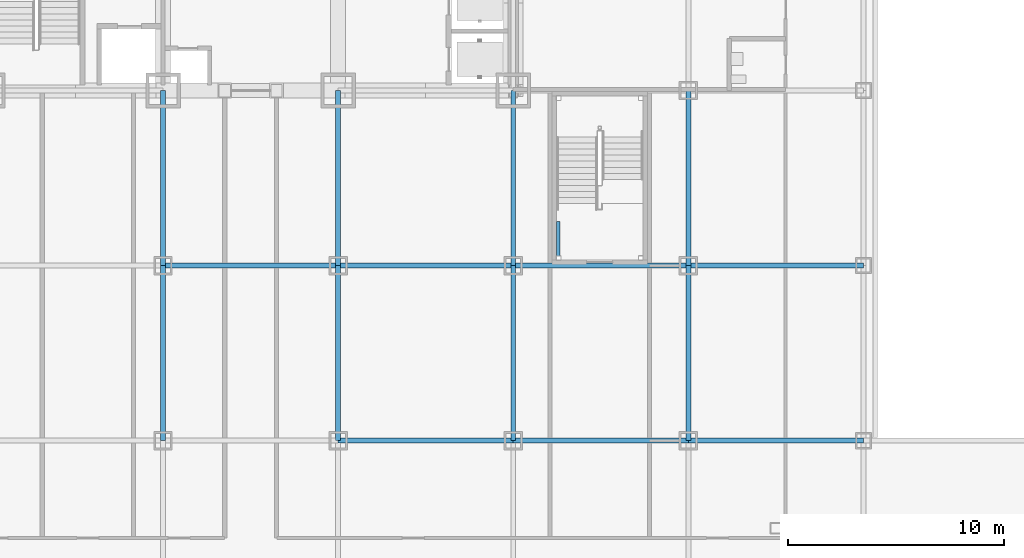
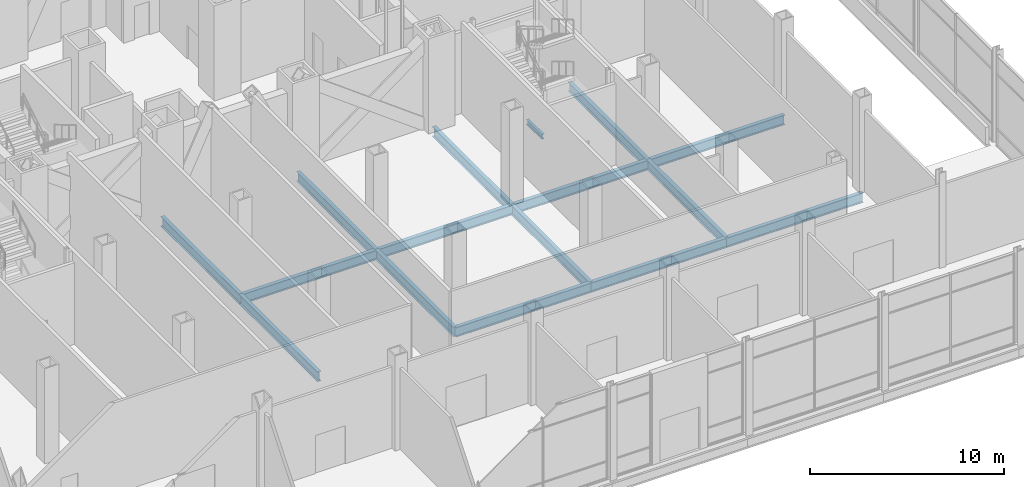
# One storey, part 13 of 35: 16 beams.
"""IFC4 building model written with IfcOpenShell, lengths in metres."""

from ifc_helpers import new_model, si_unit, direction, frame, origin, origin_2d, place, context, subcontext, project, spatial, i_section, extrude, material, material_profile, profile_set, type_object, element, save


model = new_model("IFC4")

# Units and contexts
model_context = context("Model", 3, precision=1e-05, world=origin(), true_north=direction((0.0, 1.0)))
body_context = subcontext(model_context, "Body", "Model", "MODEL_VIEW")
ifc_project = project(units=[si_unit("LENGTHUNIT", "METRE"), si_unit("AREAUNIT", "SQUARE_METRE"), si_unit("VOLUMEUNIT", "CUBIC_METRE"), si_unit("PLANEANGLEUNIT", "RADIAN"), si_unit("MASSUNIT", "GRAM", prefix="KILO")], contexts=[model_context])

# Site, building, storey
site_placement = place(None, origin())
site = spatial("IfcSite", under=ifc_project, at=site_placement, CompositionType="ELEMENT")
building_placement = place(site_placement, origin())
building = spatial("IfcBuilding", under=site, at=building_placement, Name="Kopane Lantern Tower", CompositionType="ELEMENT")
storey_placement = place(building_placement, origin())
storey = spatial("IfcBuildingStorey", under=building, at=storey_placement, Name="L00", CompositionType="ELEMENT", Elevation=0.0)

# Beams
ifc_material_1 = material(Name="Steel S355JR", Category="steel")
ifc_material_profile_1 = material_profile(ifc_material_1, i_section(OverallWidth=0.22900390625, OverallDepth=0.6123046875, WebThickness=0.011962890625, FlangeThickness=0.01953125, FilletRadius=0.0126953125, at=origin_2d()), Name="UB 610x229x125")
ifc_profile_set_1 = profile_set([ifc_material_profile_1], Name="Steel S355JR")
beam_type_1 = type_object("IfcBeamType", Name="GIRDER UB 610x229x125", PredefinedType="BEAM", material=ifc_profile_set_1)
beam_1_placement = place(storey_placement, frame((24.300048828125, 8.10009765625, -0.55615234375), z_axis=(0.0, 1.0, 0.0), x_axis=(-1.0, 0.0, 0.0)))
element("IfcBeam", 1, at=beam_1_placement, inside=storey, type_object=beam_type_1, Name="Girder L00", PredefinedType="BEAM", context=body_context, shape_type="SweptSolid", body=[
    extrude(i_section(OverallWidth=0.22900390625, OverallDepth=0.6123046875, WebThickness=0.011962890625, FlangeThickness=0.01953125, FilletRadius=0.0126953125, at=origin_2d()), origin(), (0.0, 0.0, 1.0), 8.099853515625),
])
beam_2_placement = place(storey_placement, frame((24.300048828125, 16.199951171875, -0.55615234375), z_axis=(0.0, 1.0, 0.0), x_axis=(-1.0, 0.0, 0.0)))
element("IfcBeam", 2, at=beam_2_placement, inside=storey, type_object=beam_type_1, Name="Girder L00", PredefinedType="BEAM", context=body_context, shape_type="SweptSolid", body=[
    extrude(i_section(OverallWidth=0.22900390625, OverallDepth=0.6123046875, WebThickness=0.011962890625, FlangeThickness=0.01953125, FilletRadius=0.0126953125, at=origin_2d()), origin(), (0.0, 0.0, 1.0), 8.10009765625),
])
for number, where, z_axis, x_axis, name in (
    (3, (24.300048828125, 16.199951171875, -0.55615234375), (1.0, 0.0, 0.0), (0.0, 1.0, 0.0), "Girder L00"),
    (4, (32.39990234375, 8.10009765625, -0.55615234375), (0.0, 1.0, 0.0), (-1.0, 0.0, 0.0), "Girder L00"),
):
    element("IfcBeam", number, at=place(storey_placement, frame(where, z_axis=z_axis, x_axis=x_axis)), inside=storey, type_object=beam_type_1, Name=name, PredefinedType="BEAM", context=body_context, shape_type="SweptSolid", body=[
        extrude(i_section(OverallWidth=0.22900390625, OverallDepth=0.6123046875, WebThickness=0.011962890625, FlangeThickness=0.01953125, FilletRadius=0.0126953125, at=origin_2d()), origin(), (0.0, 0.0, 1.0), 8.099853515625),
    ])
for number, where, z_axis, x_axis, name in (
    (5, (32.39990234375, 8.10009765625, -0.55615234375), (1.0, 0.0, 0.0), (0.0, 1.0, 0.0), "Girder L00"),
    (6, (32.39990234375, 16.199951171875, -0.55615234375), (0.0, 1.0, 0.0), (-1.0, 0.0, 0.0), "Girder L00"),
    (7, (32.39990234375, 16.199951171875, -0.55615234375), (1.0, 0.0, 0.0), (0.0, 1.0, 0.0), "Girder L00"),
):
    element("IfcBeam", number, at=place(storey_placement, frame(where, z_axis=z_axis, x_axis=x_axis)), inside=storey, type_object=beam_type_1, Name=name, PredefinedType="BEAM", context=body_context, shape_type="SweptSolid", body=[
        extrude(i_section(OverallWidth=0.22900390625, OverallDepth=0.6123046875, WebThickness=0.011962890625, FlangeThickness=0.01953125, FilletRadius=0.0126953125, at=origin_2d()), origin(), (0.0, 0.0, 1.0), 8.10009765625),
    ])
beam_3_placement = place(storey_placement, frame((40.5, 8.10009765625, -0.55615234375), z_axis=(0.0, 1.0, 0.0), x_axis=(-1.0, 0.0, 0.0)))
element("IfcBeam", 8, at=beam_3_placement, inside=storey, type_object=beam_type_1, Name="Girder L00", PredefinedType="BEAM", context=body_context, shape_type="SweptSolid", body=[
    extrude(i_section(OverallWidth=0.22900390625, OverallDepth=0.6123046875, WebThickness=0.011962890625, FlangeThickness=0.01953125, FilletRadius=0.0126953125, at=origin_2d()), origin(), (0.0, 0.0, 1.0), 8.099853515625),
])
for number, where, z_axis, x_axis, name in (
    (9, (40.5, 8.10009765625, -0.55615234375), (1.0, 0.0, 0.0), (0.0, 1.0, 0.0), "Girder L00"),
    (10, (40.5, 16.199951171875, -0.55615234375), (0.0, 1.0, 0.0), (-1.0, 0.0, 0.0), "Girder L00"),
    (11, (40.5, 16.199951171875, -0.55615234375), (1.0, 0.0, 0.0), (0.0, 1.0, 0.0), "Girder L00"),
):
    element("IfcBeam", number, at=place(storey_placement, frame(where, z_axis=z_axis, x_axis=x_axis)), inside=storey, type_object=beam_type_1, Name=name, PredefinedType="BEAM", context=body_context, shape_type="SweptSolid", body=[
        extrude(i_section(OverallWidth=0.22900390625, OverallDepth=0.6123046875, WebThickness=0.011962890625, FlangeThickness=0.01953125, FilletRadius=0.0126953125, at=origin_2d()), origin(), (0.0, 0.0, 1.0), 8.10009765625),
    ])
for number, where, z_axis, x_axis, name in (
    (12, (48.60009765625, 8.10009765625, -0.55615234375), (0.0, 1.0, 0.0), (-1.0, 0.0, 0.0), "Girder L00"),
    (13, (48.60009765625, 8.10009765625, -0.55615234375), (1.0, 0.0, 0.0), (0.0, 1.0, 0.0), "Girder L00"),
):
    element("IfcBeam", number, at=place(storey_placement, frame(where, z_axis=z_axis, x_axis=x_axis)), inside=storey, type_object=beam_type_1, Name=name, PredefinedType="BEAM", context=body_context, shape_type="SweptSolid", body=[
        extrude(i_section(OverallWidth=0.22900390625, OverallDepth=0.6123046875, WebThickness=0.011962890625, FlangeThickness=0.01953125, FilletRadius=0.0126953125, at=origin_2d()), origin(), (0.0, 0.0, 1.0), 8.099853515625),
    ])
beam_4_placement = place(storey_placement, frame((48.60009765625, 16.199951171875, -0.55615234375), z_axis=(0.0, 1.0, 0.0), x_axis=(-1.0, 0.0, 0.0)))
element("IfcBeam", 14, at=beam_4_placement, inside=storey, type_object=beam_type_1, Name="Girder L00", PredefinedType="BEAM", context=body_context, shape_type="SweptSolid", body=[
    extrude(i_section(OverallWidth=0.22900390625, OverallDepth=0.6123046875, WebThickness=0.011962890625, FlangeThickness=0.01953125, FilletRadius=0.0126953125, at=origin_2d()), origin(), (0.0, 0.0, 1.0), 8.10009765625),
])
beam_5_placement = place(storey_placement, frame((48.60009765625, 16.199951171875, -0.55615234375), z_axis=(1.0, 0.0, 0.0), x_axis=(0.0, 1.0, 0.0)))
element("IfcBeam", 15, at=beam_5_placement, inside=storey, type_object=beam_type_1, Name="Girder L00", PredefinedType="BEAM", context=body_context, shape_type="SweptSolid", body=[
    extrude(i_section(OverallWidth=0.22900390625, OverallDepth=0.6123046875, WebThickness=0.011962890625, FlangeThickness=0.01953125, FilletRadius=0.0126953125, at=origin_2d()), origin(), (0.0, 0.0, 1.0), 8.099853515625),
])
ifc_material_2 = material(Name="Steel S355JR", Category="steel")
ifc_material_profile_2 = material_profile(ifc_material_2, i_section(OverallWidth=0.1650390625, OverallDepth=0.303466796875, WebThickness=0.006103515625, FlangeThickness=0.01025390625, FilletRadius=0.0087890625, at=origin_2d()), Name="UB 305x165x40")
ifc_profile_set_2 = profile_set([ifc_material_profile_2], Name="Steel S355JR")
beam_type_2 = type_object("IfcBeamType", Name="STAIR LANDING BEAM UB 305x165x40", PredefinedType="BEAM", material=ifc_profile_set_2)
beam_6_placement = place(storey_placement, frame((42.58251953125, 16.64990234375, 2.981689453125), z_axis=(0.0, 1.0, 0.0), x_axis=(-1.0, 0.0, 0.0)))
element("IfcBeam", 16, at=beam_6_placement, inside=storey, type_object=beam_type_2, Name="Stair landing beam ST4 L00", PredefinedType="BEAM", context=body_context, shape_type="SweptSolid", body=[
    extrude(i_section(OverallWidth=0.1650390625, OverallDepth=0.303466796875, WebThickness=0.006103515625, FlangeThickness=0.01025390625, FilletRadius=0.0087890625, at=origin_2d()), origin(), (0.0, 0.0, 1.0), 1.60009765625),
])

save(model, "model.ifc")
